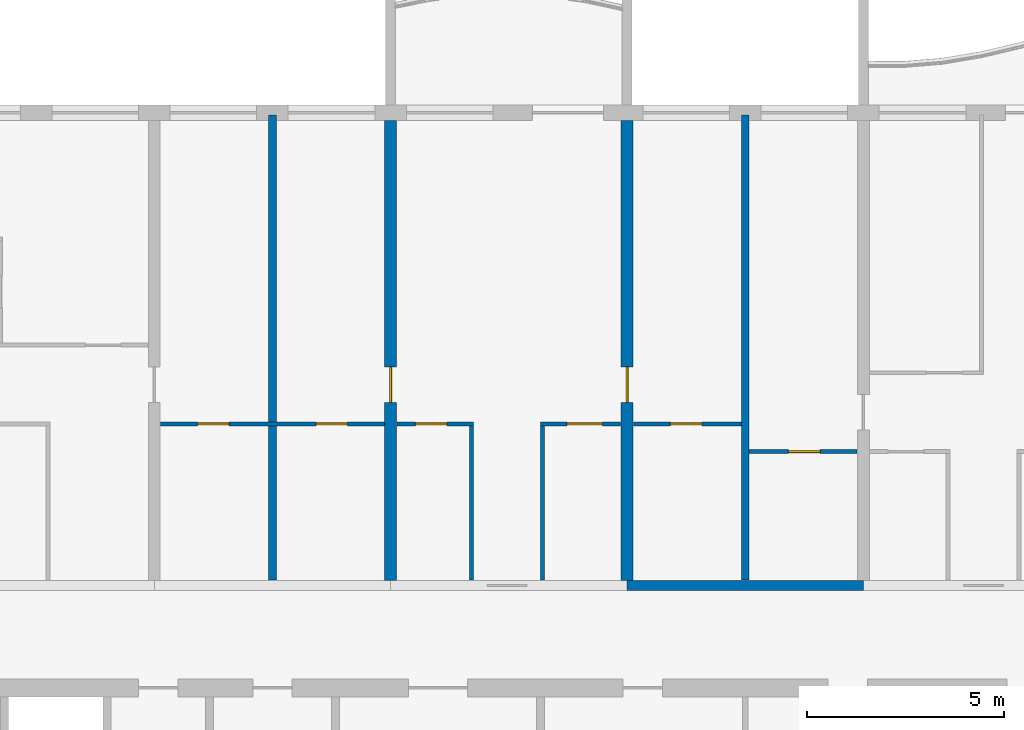
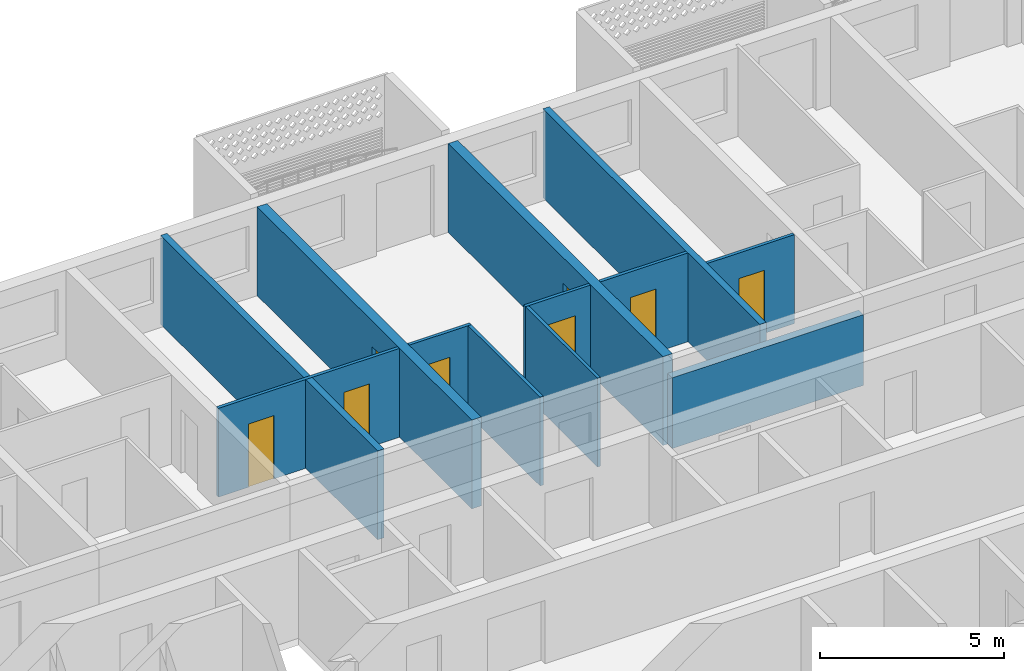
# One storey, part 9 of 26: 12 walls, 8 doors, 8 openings.
"""IFC4 building model written with IfcOpenShell, lengths in metres."""

from ifc_helpers import new_model, si_unit, direction, frame, frame_2d, origin, place, context, subcontext, project, spatial, rectangle, extrude, material, layer, layer_set, type_object, element, fill, save


model = new_model("IFC4")

# Units and contexts
model_context = context("Model", 3, precision=1e-05, world=origin(), true_north=direction((0.0, 1.0)))
body_context = subcontext(model_context, "Body", "Model", "MODEL_VIEW")
ifc_project = project(units=[si_unit("LENGTHUNIT", "METRE"), si_unit("AREAUNIT", "SQUARE_METRE"), si_unit("VOLUMEUNIT", "CUBIC_METRE"), si_unit("PLANEANGLEUNIT", "RADIAN"), si_unit("MASSUNIT", "GRAM", prefix="KILO")], contexts=[model_context])

# Site, building, storey
site_placement = place(None, origin())
site = spatial("IfcSite", under=ifc_project, at=site_placement, CompositionType="ELEMENT")
building_placement = place(site_placement, origin())
building = spatial("IfcBuilding", under=site, at=building_placement, Name="Poui Terraces", CompositionType="ELEMENT")
storey_placement = place(building_placement, frame((0.0, 0.0, 162.0)))
storey = spatial("IfcBuildingStorey", under=building, at=storey_placement, Name="L45", CompositionType="ELEMENT", Elevation=162.0)

# Wall
ifc_material_1 = material(Name="Concrete 65 MPa", Category="concrete")
ifc_layer_1 = layer(ifc_material_1, 0.25)
ifc_layer_set_1 = layer_set([ifc_layer_1], Name="Concrete 65 MPa")
wall_type_1 = type_object("IfcWallType", Name="CORRIDOR WALL 250 65MPa", PredefinedType="SHEAR", material=ifc_layer_set_1)
wall_1_placement = place(storey_placement, frame((60.0, 30.39990234375, 0.0), z_axis=(0.0, 0.0, 1.0), x_axis=(1.0, 0.0, 0.0)))
element("IfcWall", 1, at=wall_1_placement, inside=storey, type_object=wall_type_1, Name="CORRIDOR WALL LINE E BAY 8", PredefinedType="SHEAR", context=body_context, shape_type="SweptSolid", body=[
    extrude(rectangle(XDim=6.0, YDim=0.25, at=frame_2d((3.0, 0.0))), origin(), (0.0, 0.0, 1.0), 2.35009765625),
])

# Wall, opening, door
ifc_layer_2 = layer(ifc_material_1, 0.300048828125)
ifc_layer_set_2 = layer_set([ifc_layer_2], Name="Concrete 65 MPa")
wall_type_2 = type_object("IfcWallType", Name="CROSS WALL 300 65MPa", PredefinedType="SHEAR", material=ifc_layer_set_2)
wall_2_placement = place(storey_placement, frame((54.0, 30.52490234375, 0.0), z_axis=(0.0, 0.0, 1.0), x_axis=(0.0, 1.0, 0.0)))
wall_2 = element("IfcWall", 2, at=wall_2_placement, inside=storey, type_object=wall_type_2, Name="CROSS WALL LINE 10 NORTH", PredefinedType="SHEAR", context=body_context, shape_type="SweptSolid", body=[
    extrude(rectangle(XDim=11.675048828125, YDim=0.300048828125, at=frame_2d((5.83740234375, 0.0))), origin(), (0.0, 0.0, 1.0), 2.949951171875),
])
opening_1_placement = place(wall_2_placement, frame((4.52490234375, 0.0, 0.0)))
opening_1 = element("IfcOpeningElement", 3, at=opening_1_placement, cuts=wall_2, Name="Opening D90", PredefinedType="OPENING", context=body_context, shape_type="SweptSolid", body=[
    extrude(rectangle(XDim=0.89990234375, YDim=2.10009765625, at=frame_2d((0.449951171875, 1.050048828125))), frame((0.0, 0.16015625, 0.0), z_axis=(0.0, -1.0, 0.0), x_axis=(1.0, 0.0, 0.0)), (0.0, 0.0, 1.0), 0.320068359375),
])
ifc_material_2 = material(Name="Solid core timber door", Category="wood")
door_type_1 = type_object("IfcDoorType", Name="INTERNAL DOOR 900 X 2100", OperationType="NOTDEFINED", PredefinedType="DOOR", material=ifc_material_2)
door_1_placement = place(opening_1_placement, origin())
door_1 = element("IfcDoor", 4, at=door_1_placement, inside=storey, type_object=door_type_1, Name="INTERNAL DOOR 045", OperationType="SINGLE_SWING_LEFT", OverallHeight=2.10009765625, OverallWidth=0.89990234375, PredefinedType="DOOR", context=body_context, shape_type="SweptSolid", body=[
    extrude(rectangle(XDim=0.89990234375, YDim=2.10009765625, at=frame_2d((0.449951171875, 1.050048828125))), frame((0.0, 0.02490234375, 0.0), z_axis=(0.0, -1.0, 0.0), x_axis=(1.0, 0.0, 0.0)), (0.0, 0.0, 1.0), 0.050048828125),
])
fill(opening_1, door_1)

wall_3_placement = place(storey_placement, frame((60.0, 30.52490234375, 0.0), z_axis=(0.0, 0.0, 1.0), x_axis=(0.0, 1.0, 0.0)))
wall_3 = element("IfcWall", 5, at=wall_3_placement, inside=storey, type_object=wall_type_2, Name="CROSS WALL LINE 11 NORTH", PredefinedType="SHEAR", context=body_context, shape_type="SweptSolid", body=[
    extrude(rectangle(XDim=11.675048828125, YDim=0.300048828125, at=frame_2d((5.83740234375, 0.0))), origin(), (0.0, 0.0, 1.0), 2.949951171875),
])
opening_2_placement = place(wall_3_placement, frame((4.52490234375, 0.0, 0.0)))
opening_2 = element("IfcOpeningElement", 6, at=opening_2_placement, cuts=wall_3, Name="Opening D90", PredefinedType="OPENING", context=body_context, shape_type="SweptSolid", body=[
    extrude(rectangle(XDim=0.89990234375, YDim=2.10009765625, at=frame_2d((0.449951171875, 1.050048828125))), frame((0.0, 0.16015625, 0.0), z_axis=(0.0, -1.0, 0.0), x_axis=(1.0, 0.0, 0.0)), (0.0, 0.0, 1.0), 0.320068359375),
])
door_2_placement = place(opening_2_placement, frame((0.89990234375, 0.0, 0.0), z_axis=(0.0, 0.0, 1.0), x_axis=(-1.0, 0.0, 0.0)))
door_2 = element("IfcDoor", 7, at=door_2_placement, inside=storey, type_object=door_type_1, Name="INTERNAL DOOR 049", OperationType="SINGLE_SWING_RIGHT", OverallHeight=2.10009765625, OverallWidth=0.89990234375, PredefinedType="DOOR", context=body_context, shape_type="SweptSolid", body=[
    extrude(rectangle(XDim=0.89990234375, YDim=2.10009765625, at=frame_2d((0.449951171875, 1.050048828125))), frame((0.0, 0.02490234375, 0.0), z_axis=(0.0, -1.0, 0.0), x_axis=(1.0, 0.0, 0.0)), (0.0, 0.0, 1.0), 0.050048828125),
])
fill(opening_2, door_2)

ifc_material_3 = material(Name="Plasterboard partition")
ifc_layer_3 = layer(ifc_material_3, 0.10009765625)
ifc_layer_set_3 = layer_set([ifc_layer_3], Name="Plasterboard partition")
wall_type_3 = type_object("IfcWallType", Name="FLAT PARTITION 100", PredefinedType="PARTITIONING", material=ifc_layer_set_3)
wall_4_placement = place(storey_placement, frame((63.10009765625, 33.800048828125, 0.0), z_axis=(0.0, 0.0, 1.0), x_axis=(1.0, 0.0, 0.0)))
wall_4 = element("IfcWall", 8, at=wall_4_placement, inside=storey, type_object=wall_type_3, Name="FLAT PARTITION 100", PredefinedType="PARTITIONING", context=body_context, shape_type="SweptSolid", body=[
    extrude(rectangle(XDim=2.739990234375, YDim=0.10009765625, at=frame_2d((1.3701171875, 0.0))), origin(), (0.0, 0.0, 1.0), 2.949951171875),
])
opening_3_placement = place(wall_4_placement, frame((1.0, 0.0, 0.0)))
opening_3 = element("IfcOpeningElement", 9, at=opening_3_placement, cuts=wall_4, Name="Opening D80", PredefinedType="OPENING", context=body_context, shape_type="SweptSolid", body=[
    extrude(rectangle(XDim=0.800048828125, YDim=2.10009765625, at=frame_2d((0.39990234375, 1.050048828125))), frame((0.0, 0.06005859375, 0.0), z_axis=(0.0, -1.0, 0.0), x_axis=(1.0, 0.0, 0.0)), (0.0, 0.0, 1.0), 0.1201171875),
])
door_type_2 = type_object("IfcDoorType", Name="BATHROOM, LAUNDRY AND STORE DOOR 800 X 2100", OperationType="NOTDEFINED", PredefinedType="DOOR", material=ifc_material_2)
door_3_placement = place(opening_3_placement, frame((0.800048828125, 0.0, 0.0), z_axis=(0.0, 0.0, 1.0), x_axis=(-1.0, 0.0, 0.0)))
door_3 = element("IfcDoor", 10, at=door_3_placement, inside=storey, type_object=door_type_2, Name="BATHROOM, LAUNDRY AND STORE DOOR 050", OperationType="SINGLE_SWING_LEFT", OverallHeight=2.10009765625, OverallWidth=0.800048828125, PredefinedType="DOOR", context=body_context, shape_type="SweptSolid", body=[
    extrude(rectangle(XDim=0.800048828125, YDim=2.10009765625, at=frame_2d((0.39990234375, 1.050048828125))), frame((0.0, 0.02490234375, 0.0), z_axis=(0.0, -1.0, 0.0), x_axis=(1.0, 0.0, 0.0)), (0.0, 0.0, 1.0), 0.050048828125),
])
fill(opening_3, door_3)

# Wall, openings, doors
wall_5_placement = place(storey_placement, frame((48.159912109375, 34.5, 0.0), z_axis=(0.0, 0.0, 1.0), x_axis=(1.0, 0.0, 0.0)))
wall_5 = element("IfcWall", 11, at=wall_5_placement, inside=storey, type_object=wall_type_3, Name="FLAT PARTITION 100", PredefinedType="PARTITIONING", context=body_context, shape_type="SweptSolid", body=[
    extrude(rectangle(XDim=5.68017578125, YDim=0.10009765625, at=frame_2d((2.840087890625, 0.0))), origin(), (0.0, 0.0, 1.0), 2.949951171875),
])
opening_4_placement = place(wall_5_placement, frame((0.93994140625, 0.0, 0.0)))
opening_4 = element("IfcOpeningElement", 12, at=opening_4_placement, cuts=wall_5, Name="Opening D80", PredefinedType="OPENING", context=body_context, shape_type="SweptSolid", body=[
    extrude(rectangle(XDim=0.800048828125, YDim=2.10009765625, at=frame_2d((0.39990234375, 1.050048828125))), frame((0.0, 0.06005859375, 0.0), z_axis=(0.0, -1.0, 0.0), x_axis=(1.0, 0.0, 0.0)), (0.0, 0.0, 1.0), 0.1201171875),
])
opening_5_placement = place(wall_5_placement, frame((3.93994140625, 0.0, 0.0)))
opening_5 = element("IfcOpeningElement", 13, at=opening_5_placement, cuts=wall_5, Name="Opening D80", PredefinedType="OPENING", context=body_context, shape_type="SweptSolid", body=[
    extrude(rectangle(XDim=0.800048828125, YDim=2.10009765625, at=frame_2d((0.39990234375, 1.050048828125))), frame((0.0, 0.06005859375, 0.0), z_axis=(0.0, -1.0, 0.0), x_axis=(1.0, 0.0, 0.0)), (0.0, 0.0, 1.0), 0.1201171875),
])
door_4_placement = place(opening_4_placement, frame((0.800048828125, 0.0, 0.0), z_axis=(0.0, 0.0, 1.0), x_axis=(-1.0, 0.0, 0.0)))
door_4 = element("IfcDoor", 14, at=door_4_placement, inside=storey, type_object=door_type_2, Name="BATHROOM, LAUNDRY AND STORE DOOR 033", OperationType="SINGLE_SWING_LEFT", OverallHeight=2.10009765625, OverallWidth=0.800048828125, PredefinedType="DOOR", context=body_context, shape_type="SweptSolid", body=[
    extrude(rectangle(XDim=0.800048828125, YDim=2.10009765625, at=frame_2d((0.39990234375, 1.050048828125))), frame((0.0, 0.02490234375, 0.0), z_axis=(0.0, -1.0, 0.0), x_axis=(1.0, 0.0, 0.0)), (0.0, 0.0, 1.0), 0.050048828125),
])
fill(opening_4, door_4)
door_5_placement = place(opening_5_placement, frame((0.800048828125, 0.0, 0.0), z_axis=(0.0, 0.0, 1.0), x_axis=(-1.0, 0.0, 0.0)))
door_5 = element("IfcDoor", 15, at=door_5_placement, inside=storey, type_object=door_type_2, Name="BATHROOM, LAUNDRY AND STORE DOOR 043", OperationType="SINGLE_SWING_RIGHT", OverallHeight=2.10009765625, OverallWidth=0.800048828125, PredefinedType="DOOR", context=body_context, shape_type="SweptSolid", body=[
    extrude(rectangle(XDim=0.800048828125, YDim=2.10009765625, at=frame_2d((0.39990234375, 1.050048828125))), frame((0.0, 0.02490234375, 0.0), z_axis=(0.0, -1.0, 0.0), x_axis=(1.0, 0.0, 0.0)), (0.0, 0.0, 1.0), 0.050048828125),
])
fill(opening_5, door_5)

# Wall, opening, door
wall_6_placement = place(storey_placement, frame((54.159912109375, 34.5, 0.0), z_axis=(0.0, 0.0, 1.0), x_axis=(1.0, 0.0, 0.0)))
wall_6 = element("IfcWall", 16, at=wall_6_placement, inside=storey, type_object=wall_type_3, Name="FLAT PARTITION 100", PredefinedType="PARTITIONING", context=body_context, shape_type="SweptSolid", body=[
    extrude(rectangle(XDim=1.940185546875, YDim=0.10009765625, at=frame_2d((0.97021484375, 0.0))), origin(), (0.0, 0.0, 1.0), 2.949951171875),
])
opening_6_placement = place(wall_6_placement, frame((0.465087890625, 0.0, 0.0)))
opening_6 = element("IfcOpeningElement", 17, at=opening_6_placement, cuts=wall_6, Name="Opening D80", PredefinedType="OPENING", context=body_context, shape_type="SweptSolid", body=[
    extrude(rectangle(XDim=0.800048828125, YDim=2.10009765625, at=frame_2d((0.39990234375, 1.050048828125))), frame((0.0, 0.06005859375, 0.0), z_axis=(0.0, -1.0, 0.0), x_axis=(1.0, 0.0, 0.0)), (0.0, 0.0, 1.0), 0.1201171875),
])
door_6_placement = place(opening_6_placement, frame((0.800048828125, 0.0, 0.0), z_axis=(0.0, 0.0, 1.0), x_axis=(-1.0, 0.0, 0.0)))
door_6 = element("IfcDoor", 18, at=door_6_placement, inside=storey, type_object=door_type_2, Name="BATHROOM, LAUNDRY AND STORE DOOR 046", OperationType="SINGLE_SWING_LEFT", OverallHeight=2.10009765625, OverallWidth=0.800048828125, PredefinedType="DOOR", context=body_context, shape_type="SweptSolid", body=[
    extrude(rectangle(XDim=0.800048828125, YDim=2.10009765625, at=frame_2d((0.39990234375, 1.050048828125))), frame((0.0, 0.02490234375, 0.0), z_axis=(0.0, -1.0, 0.0), x_axis=(1.0, 0.0, 0.0)), (0.0, 0.0, 1.0), 0.050048828125),
])
fill(opening_6, door_6)

wall_7_placement = place(storey_placement, frame((57.800048828125, 34.5, 0.0), z_axis=(0.0, 0.0, 1.0), x_axis=(1.0, 0.0, 0.0)))
wall_7 = element("IfcWall", 19, at=wall_7_placement, inside=storey, type_object=wall_type_3, Name="FLAT PARTITION 100", PredefinedType="PARTITIONING", context=body_context, shape_type="SweptSolid", body=[
    extrude(rectangle(XDim=2.0400390625, YDim=0.10009765625, at=frame_2d((1.02001953125, 0.0))), origin(), (0.0, 0.0, 1.0), 2.949951171875),
])
opening_7_placement = place(wall_7_placement, frame((0.675048828125, 0.0, 0.0)))
opening_7 = element("IfcOpeningElement", 20, at=opening_7_placement, cuts=wall_7, Name="Opening D90", PredefinedType="OPENING", context=body_context, shape_type="SweptSolid", body=[
    extrude(rectangle(XDim=0.89990234375, YDim=2.10009765625, at=frame_2d((0.449951171875, 1.050048828125))), frame((0.0, 0.06005859375, 0.0), z_axis=(0.0, -1.0, 0.0), x_axis=(1.0, 0.0, 0.0)), (0.0, 0.0, 1.0), 0.1201171875),
])
door_7_placement = place(opening_7_placement, frame((0.89990234375, 0.0, 0.0), z_axis=(0.0, 0.0, 1.0), x_axis=(-1.0, 0.0, 0.0)))
door_7 = element("IfcDoor", 21, at=door_7_placement, inside=storey, type_object=door_type_1, Name="INTERNAL DOOR 048", OperationType="SINGLE_SWING_RIGHT", OverallHeight=2.10009765625, OverallWidth=0.89990234375, PredefinedType="DOOR", context=body_context, shape_type="SweptSolid", body=[
    extrude(rectangle(XDim=0.89990234375, YDim=2.10009765625, at=frame_2d((0.449951171875, 1.050048828125))), frame((0.0, 0.02490234375, 0.0), z_axis=(0.0, -1.0, 0.0), x_axis=(1.0, 0.0, 0.0)), (0.0, 0.0, 1.0), 0.050048828125),
])
fill(opening_7, door_7)

wall_8_placement = place(storey_placement, frame((60.159912109375, 34.5, 0.0), z_axis=(0.0, 0.0, 1.0), x_axis=(1.0, 0.0, 0.0)))
wall_8 = element("IfcWall", 22, at=wall_8_placement, inside=storey, type_object=wall_type_3, Name="FLAT PARTITION 100", PredefinedType="PARTITIONING", context=body_context, shape_type="SweptSolid", body=[
    extrude(rectangle(XDim=2.739990234375, YDim=0.10009765625, at=frame_2d((1.3701171875, 0.0))), origin(), (0.0, 0.0, 1.0), 2.949951171875),
])
opening_8_placement = place(wall_8_placement, frame((0.93994140625, 0.0, 0.0)))
opening_8 = element("IfcOpeningElement", 23, at=opening_8_placement, cuts=wall_8, Name="Opening D80", PredefinedType="OPENING", context=body_context, shape_type="SweptSolid", body=[
    extrude(rectangle(XDim=0.800048828125, YDim=2.10009765625, at=frame_2d((0.39990234375, 1.050048828125))), frame((0.0, 0.06005859375, 0.0), z_axis=(0.0, -1.0, 0.0), x_axis=(1.0, 0.0, 0.0)), (0.0, 0.0, 1.0), 0.1201171875),
])
door_8_placement = place(opening_8_placement, frame((0.800048828125, 0.0, 0.0), z_axis=(0.0, 0.0, 1.0), x_axis=(-1.0, 0.0, 0.0)))
door_8 = element("IfcDoor", 24, at=door_8_placement, inside=storey, type_object=door_type_2, Name="BATHROOM, LAUNDRY AND STORE DOOR 044", OperationType="SINGLE_SWING_RIGHT", OverallHeight=2.10009765625, OverallWidth=0.800048828125, PredefinedType="DOOR", context=body_context, shape_type="SweptSolid", body=[
    extrude(rectangle(XDim=0.800048828125, YDim=2.10009765625, at=frame_2d((0.39990234375, 1.050048828125))), frame((0.0, 0.02490234375, 0.0), z_axis=(0.0, -1.0, 0.0), x_axis=(1.0, 0.0, 0.0)), (0.0, 0.0, 1.0), 0.050048828125),
])
fill(opening_8, door_8)

# Walls
for number, where, z_axis, x_axis, name in (
    (25, (56.050048828125, 30.534912109375, 0.0), (0.0, 0.0, 1.0), (0.0, 1.0, 0.0), "FLAT PARTITION 100"),
    (26, (57.85009765625, 30.534912109375, 0.0), (0.0, 0.0, 1.0), (0.0, 1.0, 0.0), "FLAT PARTITION 100"),
):
    element("IfcWall", number, at=place(storey_placement, frame(where, z_axis=z_axis, x_axis=x_axis)), inside=storey, type_object=wall_type_3, Name=name, PredefinedType="PARTITIONING", context=body_context, shape_type="SweptSolid", body=[
        extrude(rectangle(XDim=3.9150390625, YDim=0.10009765625, at=frame_2d((1.95751953125, 0.0))), origin(), (0.0, 0.0, 1.0), 2.949951171875),
    ])
ifc_material_4 = material(Name="Fire-rated masonry wall", Category="masonry")
ifc_layer_4 = layer(ifc_material_4, 0.199951171875)
ifc_layer_set_4 = layer_set([ifc_layer_4], Name="Fire-rated masonry wall")
wall_type_4 = type_object("IfcWallType", Name="FLAT PARTY WALL 200", PredefinedType="PARTITIONING", material=ifc_layer_set_4)
for number, where, z_axis, x_axis, name in (
    (27, (51.0, 30.534912109375, 0.0), (0.0, 0.0, 1.0), (0.0, 1.0, 0.0), "FLAT PARTY WALL 200"),
    (28, (63.0, 30.534912109375, 0.0), (0.0, 0.0, 1.0), (0.0, 1.0, 0.0), "FLAT PARTY WALL 200"),
):
    element("IfcWall", number, at=place(storey_placement, frame(where, z_axis=z_axis, x_axis=x_axis)), inside=storey, type_object=wall_type_4, Name=name, PredefinedType="PARTITIONING", context=body_context, shape_type="SweptSolid", body=[
        extrude(rectangle(XDim=11.80517578125, YDim=0.199951171875, at=frame_2d((5.902587890625, 0.0))), origin(), (0.0, 0.0, 1.0), 2.949951171875),
    ])

save(model, "model.ifc")
